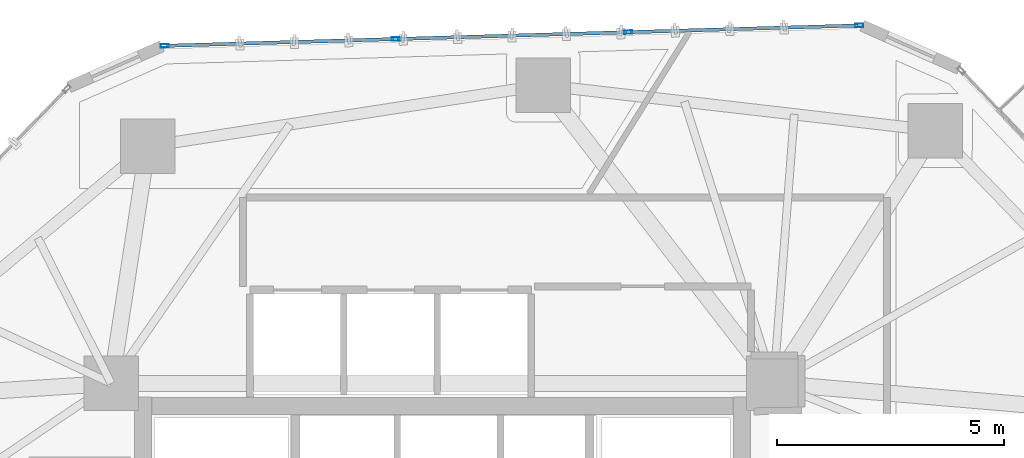
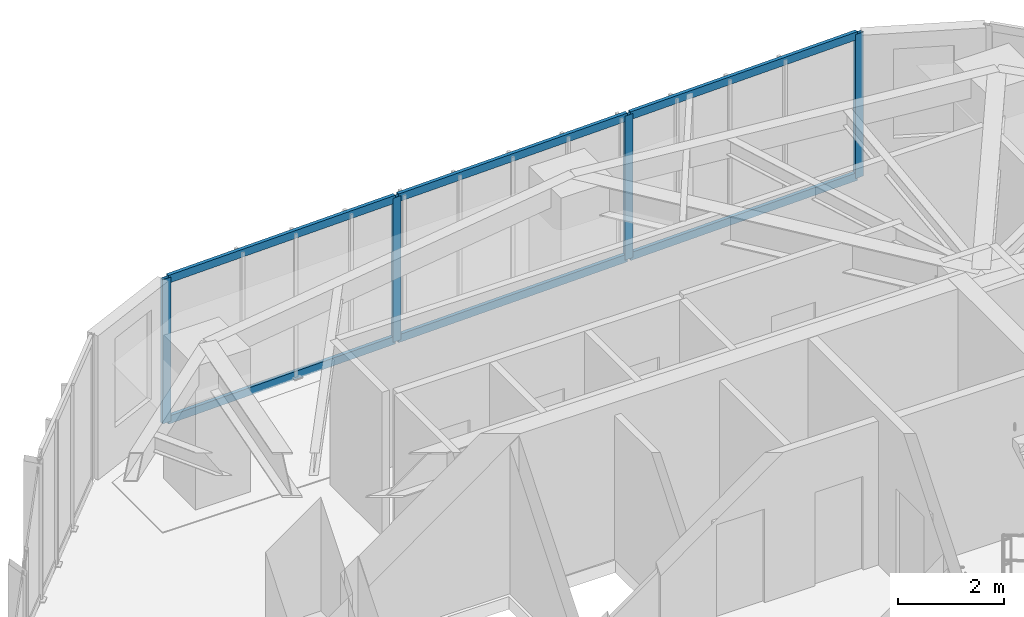
# One storey, part 15 of 23: 10 members, 1 element without a shape of its own.
"""IFC4 building model written with IfcOpenShell, lengths in metres."""

from ifc_helpers import new_model, si_unit, direction, frame, origin, origin_2d, place, context, subcontext, project, spatial, hollow_rectangle, extrude, source, transform, mapped, material, layer, layer_set, material_profile, profile_set, type_object, type_shapes, element, aggregate, save


model = new_model("IFC4")

# Units and contexts
model_context = context("Model", 3, precision=1e-05, world=origin(), true_north=direction((0.0, 1.0)))
body_context = subcontext(model_context, "Body", "Model", "MODEL_VIEW")
ifc_project = project(units=[si_unit("LENGTHUNIT", "METRE"), si_unit("AREAUNIT", "SQUARE_METRE"), si_unit("VOLUMEUNIT", "CUBIC_METRE"), si_unit("PLANEANGLEUNIT", "RADIAN"), si_unit("MASSUNIT", "GRAM", prefix="KILO")], contexts=[model_context])

# Site, building, storey
site_placement = place(None, origin())
site = spatial("IfcSite", under=ifc_project, at=site_placement, CompositionType="ELEMENT")
building_placement = place(site_placement, origin())
building = spatial("IfcBuilding", under=site, at=building_placement, Name="Talar Marvaseh", CompositionType="ELEMENT")
storey_placement = place(building_placement, frame((0.0, 0.0, 96.60009765625)))
storey = spatial("IfcBuildingStorey", under=building, at=storey_placement, Name="L24", CompositionType="ELEMENT", Elevation=96.60009765625)

# Curtain wall, members
ifc_material = material(Name="Architectural Aluminium", Category="aluminium")
ifc_layer = layer(ifc_material, 0.199951171875)
ifc_layer_set = layer_set([ifc_layer], Name="Architectural Aluminium")
curtain_wall_type = type_object("IfcCurtainWallType", Name="Unitised Acoustic Library Curtain Wall Z2", PredefinedType="NOTDEFINED", material=ifc_layer_set)
curtain_wall_placement = place(storey_placement, origin())
curtain_wall = element("IfcCurtainWall", 1, at=curtain_wall_placement, inside=storey, type_object=curtain_wall_type, Name="L24 Unitised Acoustic Library Curtain Wall Z2", PredefinedType="NOTDEFINED")
ifc_material_profile_1 = material_profile(ifc_material, hollow_rectangle(XDim=0.074951171875, YDim=0.179931640625, WallThickness=0.0048828125, at=origin_2d()), Name="RHS180x75x5")
ifc_profile_set_1 = profile_set([ifc_material_profile_1], Name="Architectural Aluminium")
member_type_1 = type_object("IfcMemberType", Name="Unitised Curtain Wall Transom RHS180x75x5", PredefinedType="USERDEFINED", material=ifc_profile_set_1)
shared_shape_1 = source(origin(), body_context, "Body", "SweptSolid", [
    extrude(hollow_rectangle(XDim=0.074951171875, YDim=0.179931640625, WallThickness=0.0048828125, at=origin_2d()), origin(), (0.0, 0.0, 1.0), 5.017578125),
])
member_1_placement = place(storey_placement, frame((19.916748046875, 44.3408203125, 0.037353515625), z_axis=(0.999568048798, 0.029389042568, 0.0), x_axis=(-0.029389042568, 0.999568048798, 0.0)))
member_1 = element("IfcMember", 2, at=member_1_placement, type_object=member_type_1, Name="CW-Z2 transom 1.1", ObjectType="TRANSOM", PredefinedType="USERDEFINED", context=body_context, shape_type="MappedRepresentation", body=[
    mapped(shared_shape_1, transform((0.0, 0.0, 0.0), x_axis=(1.0, 0.0, 0.0), y_axis=(0.0, 1.0, 0.0), z_axis=(0.0, 0.0, 1.0), scale=1.0)),
])
member_2_placement = place(storey_placement, frame((19.916748046875, 44.3408203125, 3.2724609375), z_axis=(0.999568048798, 0.029389042568, 0.0), x_axis=(-0.029389042568, 0.999568048798, 0.0)))
member_2 = element("IfcMember", 3, at=member_2_placement, type_object=member_type_1, Name="CW-Z2 transom 1.2", ObjectType="TRANSOM", PredefinedType="USERDEFINED", context=body_context, shape_type="MappedRepresentation", body=[
    mapped(shared_shape_1, transform((0.0, 0.0, 0.0), x_axis=(1.0, 0.0, 0.0), y_axis=(0.0, 1.0, 0.0), z_axis=(0.0, 0.0, 1.0), scale=1.0)),
])
member_3_placement = place(storey_placement, frame((30.135009765625, 44.64111328125, 0.037353515625), z_axis=(0.999569476993, 0.029340427135, 0.0), x_axis=(-0.029340427135, 0.999569476993, 0.0)))
member_3 = element("IfcMember", 4, at=member_3_placement, type_object=member_type_1, Name="CW-Z2 transom 3.1", ObjectType="TRANSOM", PredefinedType="USERDEFINED", context=body_context, shape_type="MappedRepresentation", body=[
    mapped(shared_shape_1, transform((0.0, 0.0, 0.0), x_axis=(1.0, 0.0, 0.0), y_axis=(0.0, 1.0, 0.0), z_axis=(0.0, 0.0, 1.0), scale=1.0)),
])
member_4_placement = place(storey_placement, frame((30.135009765625, 44.64111328125, 3.2724609375), z_axis=(0.999569476993, 0.029340427135, 0.0), x_axis=(-0.029340427135, 0.999569476993, 0.0)))
member_4 = element("IfcMember", 5, at=member_4_placement, type_object=member_type_1, Name="CW-Z2 transom 3.2", ObjectType="TRANSOM", PredefinedType="USERDEFINED", context=body_context, shape_type="MappedRepresentation", body=[
    mapped(shared_shape_1, transform((0.0, 0.0, 0.0), x_axis=(1.0, 0.0, 0.0), y_axis=(0.0, 1.0, 0.0), z_axis=(0.0, 0.0, 1.0), scale=1.0)),
])
shared_shape_2 = source(origin(), body_context, "Body", "SweptSolid", [
    extrude(hollow_rectangle(XDim=0.074951171875, YDim=0.179931640625, WallThickness=0.0048828125, at=origin_2d()), origin(), (0.0, 0.0, 1.0), 5.05517578125),
])
type_shapes(member_type_1, [shared_shape_1, shared_shape_2])
member_5_placement = place(storey_placement, frame((25.007080078125, 44.490478515625, 0.037353515625), z_axis=(0.999568797381, 0.029363570991, 0.0), x_axis=(-0.029363570991, 0.999568797381, 0.0)))
member_5 = element("IfcMember", 6, at=member_5_placement, type_object=member_type_1, Name="CW-Z2 transom 2.1", ObjectType="TRANSOM", PredefinedType="USERDEFINED", context=body_context, shape_type="MappedRepresentation", body=[
    mapped(shared_shape_2, transform((0.0, 0.0, 0.0), x_axis=(1.0, 0.0, 0.0), y_axis=(0.0, 1.0, 0.0), z_axis=(0.0, 0.0, 1.0), scale=1.0)),
])
member_6_placement = place(storey_placement, frame((25.007080078125, 44.490478515625, 3.2724609375), z_axis=(0.999568797381, 0.029363570991, 0.0), x_axis=(-0.029363570991, 0.999568797381, 0.0)))
member_6 = element("IfcMember", 7, at=member_6_placement, type_object=member_type_1, Name="CW-Z2 transom 2.2", ObjectType="TRANSOM", PredefinedType="USERDEFINED", context=body_context, shape_type="MappedRepresentation", body=[
    mapped(shared_shape_2, transform((0.0, 0.0, 0.0), x_axis=(1.0, 0.0, 0.0), y_axis=(0.0, 1.0, 0.0), z_axis=(0.0, 0.0, 1.0), scale=1.0)),
])
ifc_material_profile_2 = material_profile(ifc_material, hollow_rectangle(XDim=0.074951171875, YDim=0.179931640625, WallThickness=0.0048828125, at=origin_2d()), Name="RHS180x75x5")
ifc_profile_set_2 = profile_set([ifc_material_profile_2], Name="Architectural Aluminium")
member_type_2 = type_object("IfcMemberType", Name="Unitised Curtain Wall Standard Mullion RHS180x75x5", PredefinedType="MULLION", material=ifc_profile_set_2)
shared_shape_3 = source(origin(), body_context, "Body", "SweptSolid", [
    extrude(hollow_rectangle(XDim=0.074951171875, YDim=0.179931640625, WallThickness=0.0048828125, at=origin_2d()), origin(), (0.0, 0.0, 1.0), 3.309814453125),
])
type_shapes(member_type_2, [shared_shape_3])
member_7_placement = place(storey_placement, frame((19.87939453125, 44.33984375, 0.0), z_axis=(0.0, 0.0, 1.0), x_axis=(-0.029356471338, 0.999569005917, 0.0)))
member_7 = element("IfcMember", 8, at=member_7_placement, type_object=member_type_2, Name="CW-Z2 mullion 1", PredefinedType="MULLION", context=body_context, shape_type="MappedRepresentation", body=[
    mapped(shared_shape_3, transform((0.0, 0.0, 0.0), x_axis=(1.0, 0.0, 0.0), y_axis=(0.0, 1.0, 0.0), z_axis=(0.0, 0.0, 1.0), scale=1.0)),
])
member_8_placement = place(storey_placement, frame((24.9697265625, 44.4892578125, 0.0), z_axis=(0.0, 0.0, 1.0), x_axis=(-0.029356471338, 0.999569005917, 0.0)))
member_8 = element("IfcMember", 9, at=member_8_placement, type_object=member_type_2, Name="CW-Z2 mullion 2", PredefinedType="MULLION", context=body_context, shape_type="MappedRepresentation", body=[
    mapped(shared_shape_3, transform((0.0, 0.0, 0.0), x_axis=(1.0, 0.0, 0.0), y_axis=(0.0, 1.0, 0.0), z_axis=(0.0, 0.0, 1.0), scale=1.0)),
])
member_9_placement = place(storey_placement, frame((30.097412109375, 44.639892578125, 0.0), z_axis=(0.0, 0.0, 1.0), x_axis=(-0.029356471338, 0.999569005917, 0.0)))
member_9 = element("IfcMember", 10, at=member_9_placement, type_object=member_type_2, Name="CW-Z2 mullion 3", PredefinedType="MULLION", context=body_context, shape_type="MappedRepresentation", body=[
    mapped(shared_shape_3, transform((0.0, 0.0, 0.0), x_axis=(1.0, 0.0, 0.0), y_axis=(0.0, 1.0, 0.0), z_axis=(0.0, 0.0, 1.0), scale=1.0)),
])
member_10_placement = place(storey_placement, frame((35.187744140625, 44.789306640625, 0.0), z_axis=(0.0, 0.0, 1.0), x_axis=(-0.029356471338, 0.999569005917, 0.0)))
member_10 = element("IfcMember", 11, at=member_10_placement, type_object=member_type_2, Name="CW-Z2 mullion 4", PredefinedType="MULLION", context=body_context, shape_type="MappedRepresentation", body=[
    mapped(shared_shape_3, transform((0.0, 0.0, 0.0), x_axis=(1.0, 0.0, 0.0), y_axis=(0.0, 1.0, 0.0), z_axis=(0.0, 0.0, 1.0), scale=1.0)),
])
aggregate(curtain_wall, [member_7, member_8, member_9, member_10, member_1, member_2, member_5, member_6, member_3, member_4])

save(model, "model.ifc")
